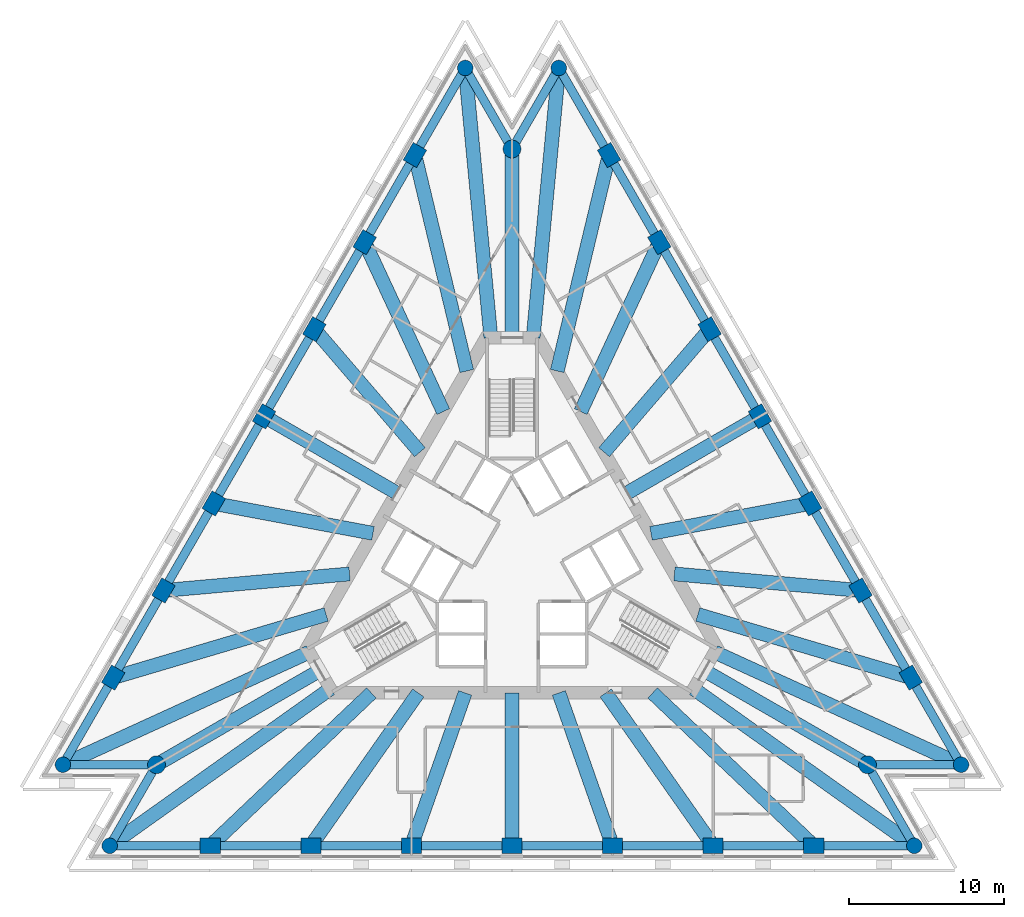
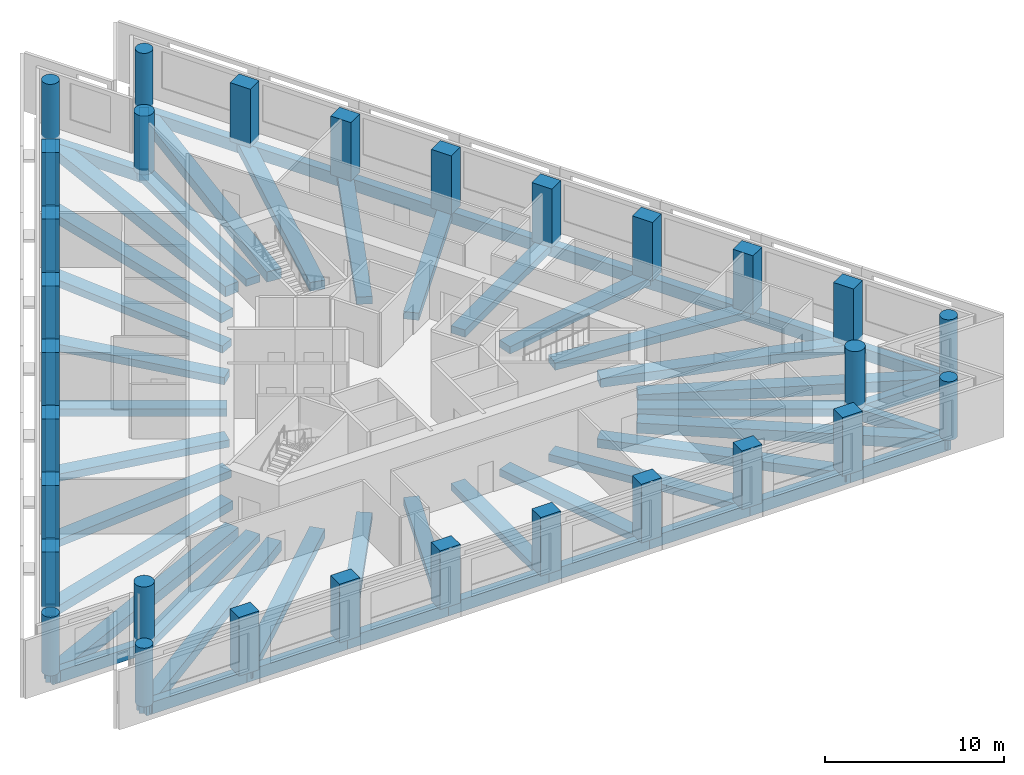
# One storey, part 1 of 9: 60 beams, 30 columns.
"""IFC4 building model written with IfcOpenShell, lengths in metres."""

from ifc_helpers import new_model, si_unit, direction, frame, origin, origin_2d, place, context, subcontext, project, spatial, rectangle, circle, extrude, material, material_profile, profile_set, type_object, element, save


model = new_model("IFC4")

# Units and contexts
model_context = context("Model", 3, precision=1e-05, world=origin(), true_north=direction((0.0, 1.0)))
body_context = subcontext(model_context, "Body", "Model", "MODEL_VIEW")
ifc_project = project(units=[si_unit("LENGTHUNIT", "METRE"), si_unit("AREAUNIT", "SQUARE_METRE"), si_unit("VOLUMEUNIT", "CUBIC_METRE"), si_unit("PLANEANGLEUNIT", "RADIAN"), si_unit("MASSUNIT", "GRAM", prefix="KILO")], contexts=[model_context])

# Site, building, storey
site_placement = place(None, origin())
site = spatial("IfcSite", under=ifc_project, at=site_placement, CompositionType="ELEMENT")
building_placement = place(site_placement, origin())
building = spatial("IfcBuilding", under=site, at=building_placement, Name="Triada Interchange Tower", CompositionType="ELEMENT")
storey_placement = place(building_placement, frame((0.0, 0.0, 172.300048828125)))
storey = spatial("IfcBuildingStorey", under=building, at=storey_placement, Name="L40", CompositionType="ELEMENT", Elevation=172.300048828125)

# Columns
ifc_material_1 = material(Name="Concrete C60/75", Category="concrete")
ifc_material_profile_1 = material_profile(ifc_material_1, rectangle(XDim=1.300048828125, YDim=1.0, at=origin_2d()), Name="RC 1300x1000")
ifc_profile_set_1 = profile_set([ifc_material_profile_1], Name="Concrete C60/75")
column_type_1 = type_object("IfcColumnType", Name="Column B face RC 1300x1000", PredefinedType="COLUMN", material=ifc_profile_set_1)
for number, where, z_axis, x_axis, name in (
    (1, (-6.258056640625, 26.068115234375, -0.300048828125), (0.0, 0.0, 1.0), (0.5, 0.866025403784, 0.0), "Column CB02 L40"),
    (2, (-9.4990234375, 20.4541015625, -0.300048828125), (0.0, 0.0, 1.0), (0.5, 0.866025403784, 0.0), "Column CB03 L40"),
    (3, (-12.739990234375, 14.841064453125, -0.300048828125), (0.0, 0.0, 1.0), (0.5, 0.866025403784, 0.0), "Column CB04 L40"),
    (4, (-15.98193359375, 9.22705078125, -0.300048828125), (0.0, 0.0, 1.0), (0.5, 0.866025403784, 0.0), "Column CB05 L40"),
    (5, (-19.222900390625, 3.613037109375, -0.300048828125), (0.0, 0.0, 1.0), (0.5, 0.866025403784, 0.0), "Column CB06 L40"),
    (6, (-22.464111328125, -2.0, -0.300048828125), (0.0, 0.0, 1.0), (0.5, 0.866025403784, 0.0), "Column CB07 L40"),
    (7, (-25.705078125, -7.614013671875, -0.300048828125), (0.0, 0.0, 1.0), (0.5, 0.866025403784, 0.0), "Column CB08 L40"),
    (8, (-19.447021484375, -18.4541015625, -0.300048828125), (0.0, 0.0, 1.0), (1.0, 0.0, 0.0), "Column CB11 L40"),
    (9, (-12.964111328125, -18.4541015625, -0.300048828125), (0.0, 0.0, 1.0), (1.0, 0.0, 0.0), "Column CB12 L40"),
    (10, (-6.48193359375, -18.4541015625, -0.300048828125), (0.0, 0.0, 1.0), (1.0, 0.0, 0.0), "Column CB13 L40"),
    (11, (0.0, -18.4541015625, -0.300048828125), (0.0, 0.0, 1.0), (1.0, 0.0, 0.0), "Column CB14 L40"),
    (12, (6.48193359375, -18.4541015625, -0.300048828125), (0.0, 0.0, 1.0), (1.0, 0.0, 0.0), "Column CB15 L40"),
    (13, (12.964111328125, -18.4541015625, -0.300048828125), (0.0, 0.0, 1.0), (1.0, 0.0, 0.0), "Column CB16 L40"),
    (14, (19.447021484375, -18.4541015625, -0.300048828125), (0.0, 0.0, 1.0), (1.0, 0.0, 0.0), "Column CB17 L40"),
    (15, (25.705078125, -7.614013671875, -0.300048828125), (0.0, 0.0, 1.0), (-0.5, 0.866025403784, 0.0), "Column CB20 L40"),
    (16, (22.464111328125, -2.0009765625, -0.300048828125), (0.0, 0.0, 1.0), (-0.5, 0.866025403784, 0.0), "Column CB21 L40"),
    (17, (19.222900390625, 3.613037109375, -0.300048828125), (0.0, 0.0, 1.0), (-0.5, 0.866025403784, 0.0), "Column CB22 L40"),
    (18, (15.98193359375, 9.22705078125, -0.300048828125), (0.0, 0.0, 1.0), (-0.5, 0.866025403784, 0.0), "Column CB23 L40"),
    (19, (12.739990234375, 14.841064453125, -0.300048828125), (0.0, 0.0, 1.0), (-0.5, 0.866025403784, 0.0), "Column CB24 L40"),
    (20, (9.4990234375, 20.4541015625, -0.300048828125), (0.0, 0.0, 1.0), (-0.5, 0.866025403784, 0.0), "Column CB25 L40"),
    (21, (6.258056640625, 26.068115234375, -0.300048828125), (0.0, 0.0, 1.0), (-0.5, 0.866025403784, 0.0), "Column CB26 L40"),
):
    element("IfcColumn", number, at=place(storey_placement, frame(where, z_axis=z_axis, x_axis=x_axis)), inside=storey, type_object=column_type_1, Name=name, PredefinedType="COLUMN", context=body_context, shape_type="SweptSolid", body=[
        extrude(rectangle(XDim=1.300048828125, YDim=1.0, at=origin_2d()), origin(), (0.0, 0.0, 1.0), 4.0),
    ])
ifc_material_profile_2 = material_profile(ifc_material_1, circle(Radius=0.5, at=origin_2d()), Name="RC D1000")
ifc_profile_set_2 = profile_set([ifc_material_profile_2], Name="Concrete C60/75")
column_type_2 = type_object("IfcColumnType", Name="End column B RC D1000", PredefinedType="COLUMN", material=ifc_profile_set_2)
for number, where, z_axis, x_axis, name in (
    (22, (-3.01708984375, 31.681884765625, -0.300048828125), (0.0, 0.0, 1.0), (0.5, 0.866025403784, 0.0), "Column CB01 L40"),
    (23, (-28.946044921875, -13.22802734375, -0.300048828125), (0.0, 0.0, 1.0), (0.5, 0.866025403784, 0.0), "Column CB09 L40"),
    (24, (-25.928955078125, -18.4541015625, -0.300048828125), (0.0, 0.0, 1.0), (1.0, 0.0, 0.0), "Column CB10 L40"),
    (25, (25.928955078125, -18.4541015625, -0.300048828125), (0.0, 0.0, 1.0), (1.0, 0.0, 0.0), "Column CB18 L40"),
    (26, (28.946044921875, -13.22802734375, -0.300048828125), (0.0, 0.0, 1.0), (-0.5, 0.866025403784, 0.0), "Column CB19 L40"),
    (27, (3.01708984375, 31.681884765625, -0.300048828125), (0.0, 0.0, 1.0), (-0.5, 0.866025403784, 0.0), "Column CB27 L40"),
):
    element("IfcColumn", number, at=place(storey_placement, frame(where, z_axis=z_axis, x_axis=x_axis)), inside=storey, type_object=column_type_2, Name=name, PredefinedType="COLUMN", context=body_context, shape_type="SweptSolid", body=[
        extrude(circle(Radius=0.5, at=origin_2d()), origin(), (0.0, 0.0, 1.0), 4.0),
    ])
ifc_material_profile_3 = material_profile(ifc_material_1, circle(Radius=0.574951171875, at=origin_2d()), Name="RC D1150")
ifc_profile_set_3 = profile_set([ifc_material_profile_3], Name="Concrete C60/75")
column_type_3 = type_object("IfcColumnType", Name="Mega column B RC D1150", PredefinedType="COLUMN", material=ifc_profile_set_3)
for number, where, z_axis, x_axis, name in (
    (28, (0.0, 26.45703125, -0.300048828125), (0.0, 0.0, 1.0), (1.0, 0.0, 0.0), "Column MB1 L40"),
    (29, (-22.912109375, -13.22802734375, -0.300048828125), (0.0, 0.0, 1.0), (1.0, 0.0, 0.0), "Column MB2 L40"),
    (30, (22.912109375, -13.22802734375, -0.300048828125), (0.0, 0.0, 1.0), (1.0, 0.0, 0.0), "Column MB3 L40"),
):
    element("IfcColumn", number, at=place(storey_placement, frame(where, z_axis=z_axis, x_axis=x_axis)), inside=storey, type_object=column_type_3, Name=name, PredefinedType="COLUMN", context=body_context, shape_type="SweptSolid", body=[
        extrude(circle(Radius=0.574951171875, at=origin_2d()), origin(), (0.0, 0.0, 1.0), 4.0),
    ])

# Beams
ifc_material_2 = material(Name="Concrete C50/60", Category="concrete")
ifc_material_profile_4 = material_profile(ifc_material_2, rectangle(XDim=0.89990234375, YDim=0.5, at=origin_2d()), Name="RC 900x500")
ifc_profile_set_4 = profile_set([ifc_material_profile_4], Name="Concrete C50/60")
beam_type_1 = type_object("IfcBeamType", Name="Radial band beam B RC 900x500", PredefinedType="BEAM", material=ifc_profile_set_4)
beam_1_placement = place(storey_placement, frame((-9.4990234375, 20.4541015625, -0.550048828125), z_axis=(0.421182188, -0.906976055093, 0.0), x_axis=(0.906976055093, 0.421182188, 0.0)))
element("IfcBeam", 31, at=beam_1_placement, inside=storey, type_object=beam_type_1, Name="Radial band beam BB03 L40", PredefinedType="BEAM", context=body_context, shape_type="SweptSolid", body=[
    extrude(rectangle(XDim=0.89990234375, YDim=0.5, at=origin_2d()), origin(), (0.0, 0.0, 1.0), 12.042236328125),
])
beam_2_placement = place(storey_placement, frame((-12.739990234375, 14.841064453125, -0.550048828125), z_axis=(0.651347526446, -0.75877954624, 0.0), x_axis=(0.75877954624, 0.651347526446, 0.0)))
element("IfcBeam", 32, at=beam_2_placement, inside=storey, type_object=beam_type_1, Name="Radial band beam BB04 L40", PredefinedType="BEAM", context=body_context, shape_type="SweptSolid", body=[
    extrude(rectangle(XDim=0.89990234375, YDim=0.5, at=origin_2d()), origin(), (0.0, 0.0, 1.0), 10.444580078125),
])
beam_3_placement = place(storey_placement, frame((-15.98193359375, 9.22705078125, -0.550048828125), z_axis=(0.866028393261, -0.49999482204, 0.0), x_axis=(0.49999482204, 0.866028393261, 0.0)))
element("IfcBeam", 33, at=beam_3_placement, inside=storey, type_object=beam_type_1, Name="Radial band beam BB05 L40", PredefinedType="BEAM", context=body_context, shape_type="SweptSolid", body=[
    extrude(rectangle(XDim=0.89990234375, YDim=0.5, at=origin_2d()), origin(), (0.0, 0.0, 1.0), 9.85400390625),
])
beam_4_placement = place(storey_placement, frame((-19.222900390625, 3.613037109375, -0.550048828125), z_axis=(0.982797748276, -0.184685099516, 0.0), x_axis=(0.184685099516, 0.982797748276, 0.0)))
element("IfcBeam", 34, at=beam_4_placement, inside=storey, type_object=beam_type_1, Name="Radial band beam BB06 L40", PredefinedType="BEAM", context=body_context, shape_type="SweptSolid", body=[
    extrude(rectangle(XDim=0.89990234375, YDim=0.5, at=origin_2d()), origin(), (0.0, 0.0, 1.0), 10.444580078125),
])
beam_5_placement = place(storey_placement, frame((-22.464111328125, -2.0, -0.550048828125), z_axis=(0.996059479564, 0.088687728409, 0.0), x_axis=(-0.088687728409, 0.996059479564, 0.0)))
element("IfcBeam", 35, at=beam_5_placement, inside=storey, type_object=beam_type_1, Name="Radial band beam BB07 L40", PredefinedType="BEAM", context=body_context, shape_type="SweptSolid", body=[
    extrude(rectangle(XDim=0.89990234375, YDim=0.5, at=origin_2d()), origin(), (0.0, 0.0, 1.0), 12.04345703125),
])
beam_6_placement = place(storey_placement, frame((-22.912109375, -13.22802734375, -0.550048828125), z_axis=(0.866034757718, 0.499983798162, 0.0), x_axis=(-0.499983798162, 0.866034757718, 0.0)))
element("IfcBeam", 36, at=beam_6_placement, inside=storey, type_object=beam_type_1, Name="Radial band beam BB10 L40", PredefinedType="BEAM", context=body_context, shape_type="SweptSolid", body=[
    extrude(rectangle(XDim=0.89990234375, YDim=0.5, at=origin_2d()), origin(), (0.0, 0.0, 1.0), 12.15673828125),
])
beam_7_placement = place(storey_placement, frame((-12.964111328125, -18.4541015625, -0.550048828125), z_axis=(0.574816759981, 0.818282159432, 0.0), x_axis=(-0.818282159432, 0.574816759981, 0.0)))
element("IfcBeam", 37, at=beam_7_placement, inside=storey, type_object=beam_type_1, Name="Radial band beam BB13 L40", PredefinedType="BEAM", context=body_context, shape_type="SweptSolid", body=[
    extrude(rectangle(XDim=0.89990234375, YDim=0.5, at=origin_2d()), origin(), (0.0, 0.0, 1.0), 12.042236328125),
])
beam_8_placement = place(storey_placement, frame((-6.48193359375, -18.4541015625, -0.550048828125), z_axis=(0.331376895085, 0.943498464971, 0.0), x_axis=(-0.943498464971, 0.331376895085, 0.0)))
element("IfcBeam", 38, at=beam_8_placement, inside=storey, type_object=beam_type_1, Name="Radial band beam BB14 L40", PredefinedType="BEAM", context=body_context, shape_type="SweptSolid", body=[
    extrude(rectangle(XDim=0.89990234375, YDim=0.5, at=origin_2d()), origin(), (0.0, 0.0, 1.0), 10.444091796875),
])
beam_9_placement = place(storey_placement, frame((0.0, -18.4541015625, -0.550048828125), z_axis=(0.0, 1.0, 0.0), x_axis=(-1.0, 0.0, 0.0)))
element("IfcBeam", 39, at=beam_9_placement, inside=storey, type_object=beam_type_1, Name="Radial band beam BB15 L40", PredefinedType="BEAM", context=body_context, shape_type="SweptSolid", body=[
    extrude(rectangle(XDim=0.89990234375, YDim=0.5, at=origin_2d()), origin(), (0.0, 0.0, 1.0), 9.85400390625),
])
beam_10_placement = place(storey_placement, frame((6.48193359375, -18.4541015625, -0.550048828125), z_axis=(-0.331376895085, 0.943498464971, 0.0), x_axis=(-0.943498464971, -0.331376895085, 0.0)))
element("IfcBeam", 40, at=beam_10_placement, inside=storey, type_object=beam_type_1, Name="Radial band beam BB16 L40", PredefinedType="BEAM", context=body_context, shape_type="SweptSolid", body=[
    extrude(rectangle(XDim=0.89990234375, YDim=0.5, at=origin_2d()), origin(), (0.0, 0.0, 1.0), 10.444091796875),
])
beam_11_placement = place(storey_placement, frame((12.964111328125, -18.4541015625, -0.550048828125), z_axis=(-0.574816759981, 0.818282159432, 0.0), x_axis=(-0.818282159432, -0.574816759981, 0.0)))
element("IfcBeam", 41, at=beam_11_placement, inside=storey, type_object=beam_type_1, Name="Radial band beam BB17 L40", PredefinedType="BEAM", context=body_context, shape_type="SweptSolid", body=[
    extrude(rectangle(XDim=0.89990234375, YDim=0.5, at=origin_2d()), origin(), (0.0, 0.0, 1.0), 12.042236328125),
])
beam_12_placement = place(storey_placement, frame((22.912109375, -13.22802734375, -0.550048828125), z_axis=(-0.866034757718, 0.499983798162, 0.0), x_axis=(-0.499983798162, -0.866034757718, 0.0)))
element("IfcBeam", 42, at=beam_12_placement, inside=storey, type_object=beam_type_1, Name="Radial band beam BB20 L40", PredefinedType="BEAM", context=body_context, shape_type="SweptSolid", body=[
    extrude(rectangle(XDim=0.89990234375, YDim=0.5, at=origin_2d()), origin(), (0.0, 0.0, 1.0), 12.15673828125),
])
beam_13_placement = place(storey_placement, frame((22.464111328125, -2.0009765625, -0.550048828125), z_axis=(-0.996052313378, 0.088768175681, 0.0), x_axis=(-0.088768175681, -0.996052313378, 0.0)))
element("IfcBeam", 43, at=beam_13_placement, inside=storey, type_object=beam_type_1, Name="Radial band beam BB23 L40", PredefinedType="BEAM", context=body_context, shape_type="SweptSolid", body=[
    extrude(rectangle(XDim=0.89990234375, YDim=0.5, at=origin_2d()), origin(), (0.0, 0.0, 1.0), 12.043701171875),
])
beam_14_placement = place(storey_placement, frame((19.222900390625, 3.613037109375, -0.550048828125), z_axis=(-0.982797748276, -0.184685099516, 0.0), x_axis=(0.184685099516, -0.982797748276, 0.0)))
element("IfcBeam", 44, at=beam_14_placement, inside=storey, type_object=beam_type_1, Name="Radial band beam BB24 L40", PredefinedType="BEAM", context=body_context, shape_type="SweptSolid", body=[
    extrude(rectangle(XDim=0.89990234375, YDim=0.5, at=origin_2d()), origin(), (0.0, 0.0, 1.0), 10.444580078125),
])
beam_15_placement = place(storey_placement, frame((15.98193359375, 9.22705078125, -0.550048828125), z_axis=(-0.866028393261, -0.49999482204, 0.0), x_axis=(0.49999482204, -0.866028393261, 0.0)))
element("IfcBeam", 45, at=beam_15_placement, inside=storey, type_object=beam_type_1, Name="Radial band beam BB25 L40", PredefinedType="BEAM", context=body_context, shape_type="SweptSolid", body=[
    extrude(rectangle(XDim=0.89990234375, YDim=0.5, at=origin_2d()), origin(), (0.0, 0.0, 1.0), 9.85400390625),
])
beam_16_placement = place(storey_placement, frame((12.739990234375, 14.841064453125, -0.550048828125), z_axis=(-0.651347526446, -0.75877954624, 0.0), x_axis=(0.75877954624, -0.651347526446, 0.0)))
element("IfcBeam", 46, at=beam_16_placement, inside=storey, type_object=beam_type_1, Name="Radial band beam BB26 L40", PredefinedType="BEAM", context=body_context, shape_type="SweptSolid", body=[
    extrude(rectangle(XDim=0.89990234375, YDim=0.5, at=origin_2d()), origin(), (0.0, 0.0, 1.0), 10.444580078125),
])
beam_17_placement = place(storey_placement, frame((9.4990234375, 20.4541015625, -0.550048828125), z_axis=(-0.421182188, -0.906976055093, 0.0), x_axis=(0.906976055093, -0.421182188, 0.0)))
element("IfcBeam", 47, at=beam_17_placement, inside=storey, type_object=beam_type_1, Name="Radial band beam BB27 L40", PredefinedType="BEAM", context=body_context, shape_type="SweptSolid", body=[
    extrude(rectangle(XDim=0.89990234375, YDim=0.5, at=origin_2d()), origin(), (0.0, 0.0, 1.0), 12.042236328125),
])
beam_18_placement = place(storey_placement, frame((0.0, 26.45703125, -0.550048828125), z_axis=(0.0, -1.0, 0.0), x_axis=(1.0, 0.0, 0.0)))
element("IfcBeam", 48, at=beam_18_placement, inside=storey, type_object=beam_type_1, Name="Radial band beam BB30 L40", PredefinedType="BEAM", context=body_context, shape_type="SweptSolid", body=[
    extrude(rectangle(XDim=0.89990234375, YDim=0.5, at=origin_2d()), origin(), (0.0, 0.0, 1.0), 12.156982421875),
])
ifc_material_profile_5 = material_profile(ifc_material_2, rectangle(XDim=0.89990234375, YDim=0.60009765625, at=origin_2d()), Name="RC 900x600")
ifc_profile_set_5 = profile_set([ifc_material_profile_5], Name="Concrete C50/60")
beam_type_2 = type_object("IfcBeamType", Name="Radial band beam B RC 900x600", PredefinedType="BEAM", material=ifc_profile_set_5)
for number, where, z_axis, x_axis, name in (
    (49, (-6.258056640625, 26.068115234375, -0.60009765625), (0.233452287657, -0.972368258114, 0.0), (0.972368258114, 0.233452287657, 0.0), "Radial band beam BB02 L40"),
    (50, (-25.705078125, -7.614013671875, -0.60009765625), (0.958818411795, 0.284019811285, 0.0), (-0.284019811285, 0.958818411795, 0.0), "Radial band beam BB08 L40"),
):
    element("IfcBeam", number, at=place(storey_placement, frame(where, z_axis=z_axis, x_axis=x_axis)), inside=storey, type_object=beam_type_2, Name=name, PredefinedType="BEAM", context=body_context, shape_type="SweptSolid", body=[
        extrude(rectangle(XDim=0.89990234375, YDim=0.60009765625, at=origin_2d()), origin(), (0.0, 0.0, 1.0), 14.315673828125),
    ])
for number, where, z_axis, x_axis, name in (
    (51, (-19.447021484375, -18.4541015625, -0.60009765625), (0.72537701011, 0.688351794655, 0.0), (-0.688351794655, 0.72537701011, 0.0), "Radial band beam BB12 L40"),
    (52, (19.447021484375, -18.4541015625, -0.60009765625), (-0.72537701011, 0.688351794655, 0.0), (-0.688351794655, -0.72537701011, 0.0), "Radial band beam BB18 L40"),
):
    element("IfcBeam", number, at=place(storey_placement, frame(where, z_axis=z_axis, x_axis=x_axis)), inside=storey, type_object=beam_type_2, Name=name, PredefinedType="BEAM", context=body_context, shape_type="SweptSolid", body=[
        extrude(rectangle(XDim=0.89990234375, YDim=0.60009765625, at=origin_2d()), origin(), (0.0, 0.0, 1.0), 14.3154296875),
    ])
for number, where, z_axis, x_axis, name in (
    (53, (25.705078125, -7.614013671875, -0.60009765625), (-0.958818411795, 0.284019811285, 0.0), (-0.284019811285, -0.958818411795, 0.0), "Radial band beam BB22 L40"),
    (54, (6.258056640625, 26.068115234375, -0.60009765625), (-0.233452287657, -0.972368258114, 0.0), (0.972368258114, -0.233452287657, 0.0), "Radial band beam BB28 L40"),
):
    element("IfcBeam", number, at=place(storey_placement, frame(where, z_axis=z_axis, x_axis=x_axis)), inside=storey, type_object=beam_type_2, Name=name, PredefinedType="BEAM", context=body_context, shape_type="SweptSolid", body=[
        extrude(rectangle(XDim=0.89990234375, YDim=0.60009765625, at=origin_2d()), origin(), (0.0, 0.0, 1.0), 14.315673828125),
    ])
ifc_material_profile_6 = material_profile(ifc_material_2, rectangle(XDim=0.89990234375, YDim=0.699951171875, at=origin_2d()), Name="RC 900x700")
ifc_profile_set_6 = profile_set([ifc_material_profile_6], Name="Concrete C50/60")
beam_type_3 = type_object("IfcBeamType", Name="Radial band beam B RC 900x700", PredefinedType="BEAM", material=ifc_profile_set_6)
beam_19_placement = place(storey_placement, frame((-3.01708984375, 31.681884765625, -0.650146484375), z_axis=(0.094787317622, -0.995497546164, 0.0), x_axis=(0.995497546164, 0.094787317622, 0.0)))
element("IfcBeam", 55, at=beam_19_placement, inside=storey, type_object=beam_type_3, Name="Radial band beam BB01 L40", PredefinedType="BEAM", context=body_context, shape_type="SweptSolid", body=[
    extrude(rectangle(XDim=0.89990234375, YDim=0.699951171875, at=origin_2d()), origin(), (0.0, 0.0, 1.0), 17.46044921875),
])
for number, where, z_axis, x_axis, name in (
    (56, (-28.946044921875, -13.22802734375, -0.650146484375), (0.909515104954, 0.415670872038, 0.0), (-0.415670872038, 0.909515104954, 0.0), "Radial band beam BB09 L40"),
    (57, (-25.928955078125, -18.4541015625, -0.650146484375), (0.814720469551, 0.579853909614, 0.0), (-0.579853909614, 0.814720469551, 0.0), "Radial band beam BB11 L40"),
    (58, (25.928955078125, -18.4541015625, -0.650146484375), (-0.814720469551, 0.579853909614, 0.0), (-0.579853909614, -0.814720469551, 0.0), "Radial band beam BB19 L40"),
    (59, (28.946044921875, -13.22802734375, -0.650146484375), (-0.909515104954, 0.415670872038, 0.0), (-0.415670872038, -0.909515104954, 0.0), "Radial band beam BB21 L40"),
):
    element("IfcBeam", number, at=place(storey_placement, frame(where, z_axis=z_axis, x_axis=x_axis)), inside=storey, type_object=beam_type_3, Name=name, PredefinedType="BEAM", context=body_context, shape_type="SweptSolid", body=[
        extrude(rectangle(XDim=0.89990234375, YDim=0.699951171875, at=origin_2d()), origin(), (0.0, 0.0, 1.0), 17.461181640625),
    ])
beam_20_placement = place(storey_placement, frame((3.01708984375, 31.681884765625, -0.650146484375), z_axis=(-0.094787317622, -0.995497546164, 0.0), x_axis=(0.995497546164, -0.094787317622, 0.0)))
element("IfcBeam", 60, at=beam_20_placement, inside=storey, type_object=beam_type_3, Name="Radial band beam BB29 L40", PredefinedType="BEAM", context=body_context, shape_type="SweptSolid", body=[
    extrude(rectangle(XDim=0.89990234375, YDim=0.699951171875, at=origin_2d()), origin(), (0.0, 0.0, 1.0), 17.46044921875),
])
ifc_material_profile_7 = material_profile(ifc_material_2, rectangle(XDim=0.550048828125, YDim=0.800048828125, at=origin_2d()), Name="RC 550x800")
ifc_profile_set_7 = profile_set([ifc_material_profile_7], Name="Concrete C50/60")
beam_type_4 = type_object("IfcBeamType", Name="Spandrel beam B RC 550x800", PredefinedType="BEAM", material=ifc_profile_set_7)
beam_21_placement = place(storey_placement, frame((-3.01708984375, 31.681884765625, -0.699951171875), z_axis=(-0.499983274767, -0.866035059887, 0.0), x_axis=(0.866035059887, -0.499983274767, 0.0)))
element("IfcBeam", 61, at=beam_21_placement, inside=storey, type_object=beam_type_4, Name="Spandrel beam EB01 L40", PredefinedType="BEAM", context=body_context, shape_type="SweptSolid", body=[
    extrude(rectangle(XDim=0.550048828125, YDim=0.800048828125, at=origin_2d()), origin(), (0.0, 0.0, 1.0), 6.482177734375),
])
beam_22_placement = place(storey_placement, frame((-6.258056640625, 26.068115234375, -0.699951171875), z_axis=(-0.49996696679, -0.866044474677, 0.0), x_axis=(0.866044474677, -0.49996696679, 0.0)))
element("IfcBeam", 62, at=beam_22_placement, inside=storey, type_object=beam_type_4, Name="Spandrel beam EB02 L40", PredefinedType="BEAM", context=body_context, shape_type="SweptSolid", body=[
    extrude(rectangle(XDim=0.550048828125, YDim=0.800048828125, at=origin_2d()), origin(), (0.0, 0.0, 1.0), 6.482421875),
])
beam_23_placement = place(storey_placement, frame((-9.4990234375, 20.4541015625, -0.699951171875), z_axis=(-0.500032204018, -0.866006809987, 0.0), x_axis=(0.866006809987, -0.500032204018, 0.0)))
element("IfcBeam", 63, at=beam_23_placement, inside=storey, type_object=beam_type_4, Name="Spandrel beam EB03 L40", PredefinedType="BEAM", context=body_context, shape_type="SweptSolid", body=[
    extrude(rectangle(XDim=0.550048828125, YDim=0.800048828125, at=origin_2d()), origin(), (0.0, 0.0, 1.0), 6.4814453125),
])
beam_24_placement = place(storey_placement, frame((-12.739990234375, 14.841064453125, -0.699951171875), z_axis=(-0.500079945886, -0.865979242085, 0.0), x_axis=(0.865979242085, -0.500079945886, 0.0)))
element("IfcBeam", 64, at=beam_24_placement, inside=storey, type_object=beam_type_4, Name="Spandrel beam EB04 L40", PredefinedType="BEAM", context=body_context, shape_type="SweptSolid", body=[
    extrude(rectangle(XDim=0.550048828125, YDim=0.800048828125, at=origin_2d()), origin(), (0.0, 0.0, 1.0), 6.48291015625),
])
beam_25_placement = place(storey_placement, frame((-15.98193359375, 9.22705078125, -0.699951171875), z_axis=(-0.49996696679, -0.866044474677, 0.0), x_axis=(0.866044474677, -0.49996696679, 0.0)))
element("IfcBeam", 65, at=beam_25_placement, inside=storey, type_object=beam_type_4, Name="Spandrel beam EB05 L40", PredefinedType="BEAM", context=body_context, shape_type="SweptSolid", body=[
    extrude(rectangle(XDim=0.550048828125, YDim=0.800048828125, at=origin_2d()), origin(), (0.0, 0.0, 1.0), 6.482421875),
])
beam_26_placement = place(storey_placement, frame((-19.222900390625, 3.613037109375, -0.699951171875), z_axis=(-0.500060452414, -0.865990498754, 0.0), x_axis=(0.865990498754, -0.500060452414, 0.0)))
element("IfcBeam", 66, at=beam_26_placement, inside=storey, type_object=beam_type_4, Name="Spandrel beam EB06 L40", PredefinedType="BEAM", context=body_context, shape_type="SweptSolid", body=[
    extrude(rectangle(XDim=0.550048828125, YDim=0.800048828125, at=origin_2d()), origin(), (0.0, 0.0, 1.0), 6.481689453125),
])
for number, where, z_axis, x_axis, name in (
    (67, (-22.464111328125, -2.0, -0.699951171875), (-0.49996696679, -0.866044474677, 0.0), (0.866044474677, -0.49996696679, 0.0), "Spandrel beam EB07 L40"),
    (68, (-25.705078125, -7.614013671875, -0.699951171875), (-0.49996696679, -0.866044474677, 0.0), (0.866044474677, -0.49996696679, 0.0), "Spandrel beam EB08 L40"),
):
    element("IfcBeam", number, at=place(storey_placement, frame(where, z_axis=z_axis, x_axis=x_axis)), inside=storey, type_object=beam_type_4, Name=name, PredefinedType="BEAM", context=body_context, shape_type="SweptSolid", body=[
        extrude(rectangle(XDim=0.550048828125, YDim=0.800048828125, at=origin_2d()), origin(), (0.0, 0.0, 1.0), 6.482421875),
    ])
beam_27_placement = place(storey_placement, frame((-28.946044921875, -13.22802734375, -0.699951171875), z_axis=(1.0, 0.0, 0.0), x_axis=(0.0, 1.0, 0.0)))
element("IfcBeam", 69, at=beam_27_placement, inside=storey, type_object=beam_type_4, Name="Spandrel beam EB09 L40", PredefinedType="BEAM", context=body_context, shape_type="SweptSolid", body=[
    extrude(rectangle(XDim=0.550048828125, YDim=0.800048828125, at=origin_2d()), origin(), (0.0, 0.0, 1.0), 6.033935546875),
])
beam_28_placement = place(storey_placement, frame((-22.912109375, -13.22802734375, -0.699951171875), z_axis=(-0.499946597911, -0.8660562333, 0.0), x_axis=(0.8660562333, -0.499946597911, 0.0)))
element("IfcBeam", 70, at=beam_28_placement, inside=storey, type_object=beam_type_4, Name="Spandrel beam EB10 L40", PredefinedType="BEAM", context=body_context, shape_type="SweptSolid", body=[
    extrude(rectangle(XDim=0.550048828125, YDim=0.800048828125, at=origin_2d()), origin(), (0.0, 0.0, 1.0), 6.034423828125),
])
beam_29_placement = place(storey_placement, frame((-25.928955078125, -18.4541015625, -0.699951171875), z_axis=(1.0, 0.0, 0.0), x_axis=(0.0, 1.0, 0.0)))
element("IfcBeam", 71, at=beam_29_placement, inside=storey, type_object=beam_type_4, Name="Spandrel beam EB11 L40", PredefinedType="BEAM", context=body_context, shape_type="SweptSolid", body=[
    extrude(rectangle(XDim=0.550048828125, YDim=0.800048828125, at=origin_2d()), origin(), (0.0, 0.0, 1.0), 6.48193359375),
])
beam_30_placement = place(storey_placement, frame((-19.447021484375, -18.4541015625, -0.699951171875), z_axis=(1.0, 0.0, 0.0), x_axis=(0.0, 1.0, 0.0)))
element("IfcBeam", 72, at=beam_30_placement, inside=storey, type_object=beam_type_4, Name="Spandrel beam EB12 L40", PredefinedType="BEAM", context=body_context, shape_type="SweptSolid", body=[
    extrude(rectangle(XDim=0.550048828125, YDim=0.800048828125, at=origin_2d()), origin(), (0.0, 0.0, 1.0), 6.48291015625),
])
beam_31_placement = place(storey_placement, frame((-12.964111328125, -18.4541015625, -0.699951171875), z_axis=(1.0, 0.0, 0.0), x_axis=(0.0, 1.0, 0.0)))
element("IfcBeam", 73, at=beam_31_placement, inside=storey, type_object=beam_type_4, Name="Spandrel beam EB13 L40", PredefinedType="BEAM", context=body_context, shape_type="SweptSolid", body=[
    extrude(rectangle(XDim=0.550048828125, YDim=0.800048828125, at=origin_2d()), origin(), (0.0, 0.0, 1.0), 6.482177734375),
])
for number, where, z_axis, x_axis, name in (
    (74, (-6.48193359375, -18.4541015625, -0.699951171875), (1.0, 0.0, 0.0), (0.0, 1.0, 0.0), "Spandrel beam EB14 L40"),
    (75, (0.0, -18.4541015625, -0.699951171875), (1.0, 0.0, 0.0), (0.0, 1.0, 0.0), "Spandrel beam EB15 L40"),
):
    element("IfcBeam", number, at=place(storey_placement, frame(where, z_axis=z_axis, x_axis=x_axis)), inside=storey, type_object=beam_type_4, Name=name, PredefinedType="BEAM", context=body_context, shape_type="SweptSolid", body=[
        extrude(rectangle(XDim=0.550048828125, YDim=0.800048828125, at=origin_2d()), origin(), (0.0, 0.0, 1.0), 6.48193359375),
    ])
beam_32_placement = place(storey_placement, frame((6.48193359375, -18.4541015625, -0.699951171875), z_axis=(1.0, 0.0, 0.0), x_axis=(0.0, 1.0, 0.0)))
element("IfcBeam", 76, at=beam_32_placement, inside=storey, type_object=beam_type_4, Name="Spandrel beam EB16 L40", PredefinedType="BEAM", context=body_context, shape_type="SweptSolid", body=[
    extrude(rectangle(XDim=0.550048828125, YDim=0.800048828125, at=origin_2d()), origin(), (0.0, 0.0, 1.0), 6.482177734375),
])
beam_33_placement = place(storey_placement, frame((12.964111328125, -18.4541015625, -0.699951171875), z_axis=(1.0, 0.0, 0.0), x_axis=(0.0, 1.0, 0.0)))
element("IfcBeam", 77, at=beam_33_placement, inside=storey, type_object=beam_type_4, Name="Spandrel beam EB17 L40", PredefinedType="BEAM", context=body_context, shape_type="SweptSolid", body=[
    extrude(rectangle(XDim=0.550048828125, YDim=0.800048828125, at=origin_2d()), origin(), (0.0, 0.0, 1.0), 6.48291015625),
])
beam_34_placement = place(storey_placement, frame((19.447021484375, -18.4541015625, -0.699951171875), z_axis=(1.0, 0.0, 0.0), x_axis=(0.0, 1.0, 0.0)))
element("IfcBeam", 78, at=beam_34_placement, inside=storey, type_object=beam_type_4, Name="Spandrel beam EB18 L40", PredefinedType="BEAM", context=body_context, shape_type="SweptSolid", body=[
    extrude(rectangle(XDim=0.550048828125, YDim=0.800048828125, at=origin_2d()), origin(), (0.0, 0.0, 1.0), 6.48193359375),
])
beam_35_placement = place(storey_placement, frame((25.928955078125, -18.4541015625, -0.699951171875), z_axis=(-0.499946597911, 0.8660562333, 0.0), x_axis=(-0.8660562333, -0.499946597911, 0.0)))
element("IfcBeam", 79, at=beam_35_placement, inside=storey, type_object=beam_type_4, Name="Spandrel beam EB19 L40", PredefinedType="BEAM", context=body_context, shape_type="SweptSolid", body=[
    extrude(rectangle(XDim=0.550048828125, YDim=0.800048828125, at=origin_2d()), origin(), (0.0, 0.0, 1.0), 6.034423828125),
])
beam_36_placement = place(storey_placement, frame((22.912109375, -13.22802734375, -0.699951171875), z_axis=(1.0, 0.0, 0.0), x_axis=(0.0, 1.0, 0.0)))
element("IfcBeam", 80, at=beam_36_placement, inside=storey, type_object=beam_type_4, Name="Spandrel beam EB20 L40", PredefinedType="BEAM", context=body_context, shape_type="SweptSolid", body=[
    extrude(rectangle(XDim=0.550048828125, YDim=0.800048828125, at=origin_2d()), origin(), (0.0, 0.0, 1.0), 6.033935546875),
])
beam_37_placement = place(storey_placement, frame((28.946044921875, -13.22802734375, -0.699951171875), z_axis=(-0.49996696679, 0.866044474677, 0.0), x_axis=(-0.866044474677, -0.49996696679, 0.0)))
element("IfcBeam", 81, at=beam_37_placement, inside=storey, type_object=beam_type_4, Name="Spandrel beam EB21 L40", PredefinedType="BEAM", context=body_context, shape_type="SweptSolid", body=[
    extrude(rectangle(XDim=0.550048828125, YDim=0.800048828125, at=origin_2d()), origin(), (0.0, 0.0, 1.0), 6.482421875),
])
beam_38_placement = place(storey_placement, frame((25.705078125, -7.614013671875, -0.699951171875), z_axis=(-0.500032204018, 0.866006809987, 0.0), x_axis=(-0.866006809987, -0.500032204018, 0.0)))
element("IfcBeam", 82, at=beam_38_placement, inside=storey, type_object=beam_type_4, Name="Spandrel beam EB22 L40", PredefinedType="BEAM", context=body_context, shape_type="SweptSolid", body=[
    extrude(rectangle(XDim=0.550048828125, YDim=0.800048828125, at=origin_2d()), origin(), (0.0, 0.0, 1.0), 6.4814453125),
])
for number, where, z_axis, x_axis, name in (
    (83, (22.464111328125, -2.0009765625, -0.699951171875), (-0.499995213958, 0.86602816699, 0.0), (-0.86602816699, -0.499995213958, 0.0), "Spandrel beam EB23 L40"),
    (84, (19.222900390625, 3.613037109375, -0.699951171875), (-0.49996696679, 0.866044474677, 0.0), (-0.866044474677, -0.49996696679, 0.0), "Spandrel beam EB24 L40"),
):
    element("IfcBeam", number, at=place(storey_placement, frame(where, z_axis=z_axis, x_axis=x_axis)), inside=storey, type_object=beam_type_4, Name=name, PredefinedType="BEAM", context=body_context, shape_type="SweptSolid", body=[
        extrude(rectangle(XDim=0.550048828125, YDim=0.800048828125, at=origin_2d()), origin(), (0.0, 0.0, 1.0), 6.482421875),
    ])
beam_39_placement = place(storey_placement, frame((15.98193359375, 9.22705078125, -0.699951171875), z_axis=(-0.500079945886, 0.865979242085, 0.0), x_axis=(-0.865979242085, -0.500079945886, 0.0)))
element("IfcBeam", 85, at=beam_39_placement, inside=storey, type_object=beam_type_4, Name="Spandrel beam EB25 L40", PredefinedType="BEAM", context=body_context, shape_type="SweptSolid", body=[
    extrude(rectangle(XDim=0.550048828125, YDim=0.800048828125, at=origin_2d()), origin(), (0.0, 0.0, 1.0), 6.48291015625),
])
beam_40_placement = place(storey_placement, frame((12.739990234375, 14.841064453125, -0.699951171875), z_axis=(-0.500032204018, 0.866006809987, 0.0), x_axis=(-0.866006809987, -0.500032204018, 0.0)))
element("IfcBeam", 86, at=beam_40_placement, inside=storey, type_object=beam_type_4, Name="Spandrel beam EB26 L40", PredefinedType="BEAM", context=body_context, shape_type="SweptSolid", body=[
    extrude(rectangle(XDim=0.550048828125, YDim=0.800048828125, at=origin_2d()), origin(), (0.0, 0.0, 1.0), 6.4814453125),
])
beam_41_placement = place(storey_placement, frame((9.4990234375, 20.4541015625, -0.699951171875), z_axis=(-0.49996696679, 0.866044474677, 0.0), x_axis=(-0.866044474677, -0.49996696679, 0.0)))
element("IfcBeam", 87, at=beam_41_placement, inside=storey, type_object=beam_type_4, Name="Spandrel beam EB27 L40", PredefinedType="BEAM", context=body_context, shape_type="SweptSolid", body=[
    extrude(rectangle(XDim=0.550048828125, YDim=0.800048828125, at=origin_2d()), origin(), (0.0, 0.0, 1.0), 6.482421875),
])
beam_42_placement = place(storey_placement, frame((6.258056640625, 26.068115234375, -0.699951171875), z_axis=(-0.499983274767, 0.866035059887, 0.0), x_axis=(-0.866035059887, -0.499983274767, 0.0)))
element("IfcBeam", 88, at=beam_42_placement, inside=storey, type_object=beam_type_4, Name="Spandrel beam EB28 L40", PredefinedType="BEAM", context=body_context, shape_type="SweptSolid", body=[
    extrude(rectangle(XDim=0.550048828125, YDim=0.800048828125, at=origin_2d()), origin(), (0.0, 0.0, 1.0), 6.482177734375),
])
for number, where, z_axis, x_axis, name in (
    (89, (3.01708984375, 31.681884765625, -0.699951171875), (-0.500064546788, -0.865988134472, 0.0), (0.865988134472, -0.500064546788, 0.0), "Spandrel beam EB29 L40"),
    (90, (0.0, 26.45703125, -0.699951171875), (-0.500064546788, 0.865988134472, 0.0), (-0.865988134472, -0.500064546788, 0.0), "Spandrel beam EB30 L40"),
):
    element("IfcBeam", number, at=place(storey_placement, frame(where, z_axis=z_axis, x_axis=x_axis)), inside=storey, type_object=beam_type_4, Name=name, PredefinedType="BEAM", context=body_context, shape_type="SweptSolid", body=[
        extrude(rectangle(XDim=0.550048828125, YDim=0.800048828125, at=origin_2d()), origin(), (0.0, 0.0, 1.0), 6.033447265625),
    ])

save(model, "model.ifc")
